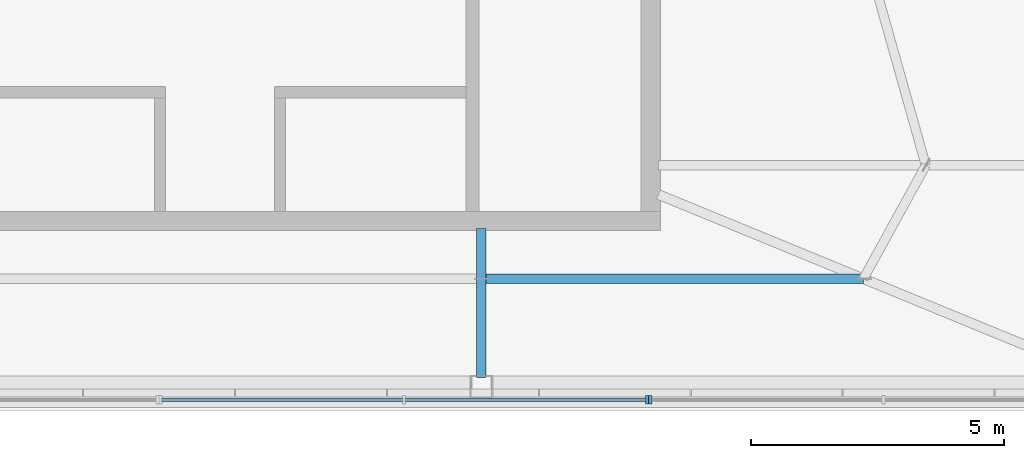
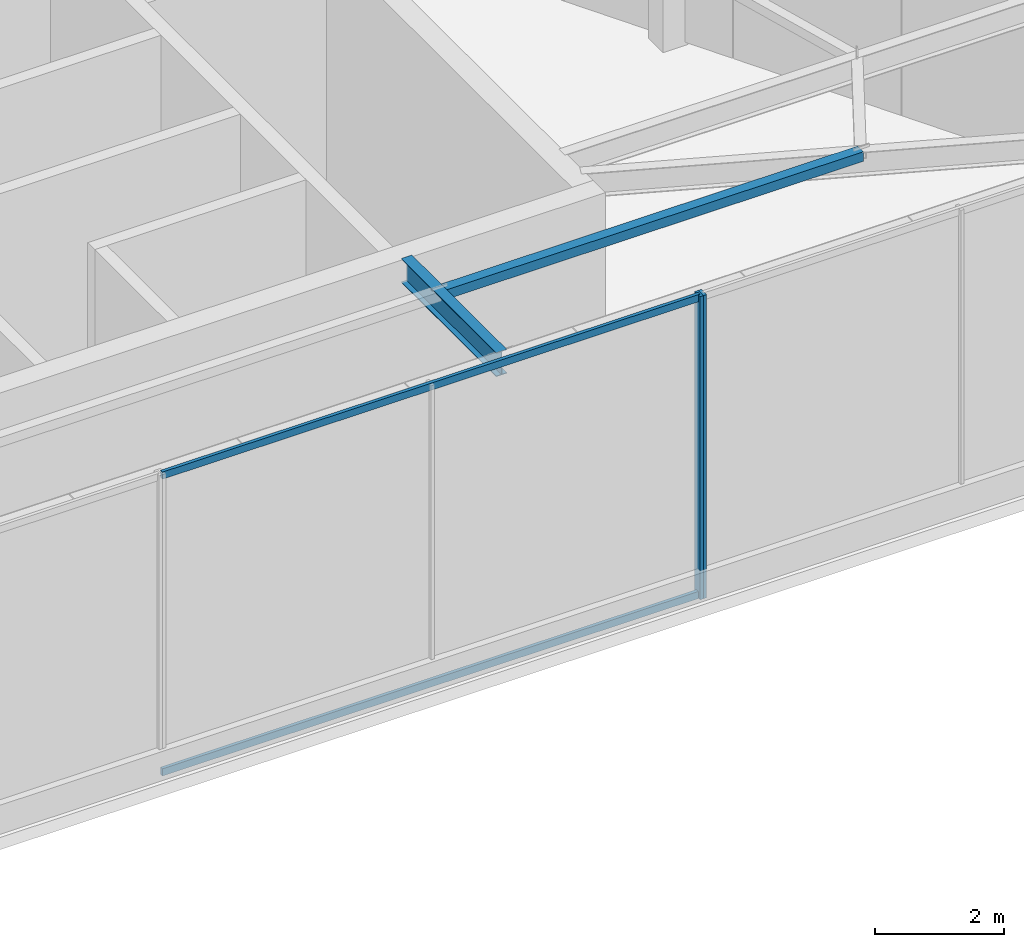
# One storey, part 3 of 12: 5 members, 1 beam, 2 elements without a shape of their own.
"""IFC4 building model written with IfcOpenShell, lengths in metres."""

from ifc_helpers import new_model, si_unit, direction, frame, origin, origin_2d, place, context, subcontext, project, spatial, rectangle, hollow_rectangle, i_section, extrude, material, layer, layer_set, material_profile, profile_set, type_object, element, aggregate, save


model = new_model("IFC4")

# Units and contexts
model_context = context("Model", 3, precision=1e-05, world=origin(), true_north=direction((0.0, 1.0)))
body_context = subcontext(model_context, "Body", "Model", "MODEL_VIEW")
ifc_project = project(units=[si_unit("LENGTHUNIT", "METRE"), si_unit("AREAUNIT", "SQUARE_METRE"), si_unit("VOLUMEUNIT", "CUBIC_METRE"), si_unit("PLANEANGLEUNIT", "RADIAN"), si_unit("MASSUNIT", "GRAM", prefix="KILO")], contexts=[model_context])

# Site, building, storey
site_placement = place(None, origin())
site = spatial("IfcSite", under=ifc_project, at=site_placement, CompositionType="ELEMENT")
building_placement = place(site_placement, origin())
building = spatial("IfcBuilding", under=site, at=building_placement, Name="Kavelnor Concourse Tower", CompositionType="ELEMENT")
storey_placement = place(building_placement, frame((0.0, 0.0, 315.699951171875)))
storey = spatial("IfcBuildingStorey", under=building, at=storey_placement, Name="L79", CompositionType="ELEMENT", Elevation=315.699951171875)

# Beam
ifc_material_1 = material(Name="Steel Grade 350", Category="steel")
ifc_material_profile_1 = material_profile(ifc_material_1, i_section(OverallWidth=0.18994140625, OverallDepth=0.4541015625, WebThickness=0.008544921875, FlangeThickness=0.0126953125, at=origin_2d()), Name="460UB67")
ifc_profile_set_1 = profile_set([ifc_material_profile_1], Name="Steel Grade 350")
beam_type = type_object("IfcBeamType", Name="BM-PRIMARY-460", PredefinedType="BEAM", material=ifc_profile_set_1)
beam_placement = place(storey_placement, frame((44.366455078125, 9.260009765625, 5.29296875), z_axis=(0.0, -1.0, 0.0), x_axis=(1.0, 0.0, 0.0)))
element("IfcBeam", 1, at=beam_placement, inside=storey, type_object=beam_type, Name="L79 Crown Frame Radial Girder F1B4", PredefinedType="BEAM", context=body_context, shape_type="SweptSolid", body=[
    extrude(i_section(OverallWidth=0.18994140625, OverallDepth=0.4541015625, WebThickness=0.008544921875, FlangeThickness=0.0126953125, at=origin_2d()), origin(), (0.0, 0.0, 1.0), 2.93994140625),
])

# Curtain wall, member
ifc_material_2 = material(Name="Anodised aluminium 6063-T6", Category="aluminium")
ifc_layer = layer(ifc_material_2, 0.1650390625, Name="Anodised aluminium 6063-T6")
ifc_layer_set = layer_set([ifc_layer], Name="Anodised aluminium 6063-T6")
curtain_wall_type = type_object("IfcCurtainWallType", Name="CW-CROWN-SCREEN", PredefinedType="NOTDEFINED", material=ifc_layer_set)
curtain_wall_1_placement = place(storey_placement, origin())
curtain_wall_1 = element("IfcCurtainWall", 2, at=curtain_wall_1_placement, inside=storey, type_object=curtain_wall_type, Name="L79 Crown Fritted Screen Curtain Wall E3-S3", PredefinedType="NOTDEFINED")
ifc_material_profile_2 = material_profile(ifc_material_2, rectangle(XDim=0.06005859375, YDim=0.1650390625, at=origin_2d()), Name="AL-MULL 60x165")
ifc_profile_set_2 = profile_set([ifc_material_profile_2], Name="Anodised aluminium 6063-T6")
member_type_1 = type_object("IfcMemberType", Name="CW-CROWN-SCREEN-MULL", PredefinedType="MULLION", material=ifc_profile_set_2)
member_1_placement = place(storey_placement, frame((47.64013671875, 5.875, 0.0), z_axis=(0.0, 0.0, 1.0), x_axis=(1.0, 0.0, 0.0)))
member_1 = element("IfcMember", 3, at=member_1_placement, type_object=member_type_1, Name="L79 Crown Fritted Screen Curtain Wall E3-S3 Mullion 2", PredefinedType="MULLION", context=body_context, shape_type="SweptSolid", body=[
    extrude(rectangle(XDim=0.06005859375, YDim=0.1650390625, at=origin_2d()), origin(), (0.0, 0.0, 1.0), 5.72998046875),
])

curtain_wall_2_placement = place(storey_placement, origin())
curtain_wall_2 = element("IfcCurtainWall", 4, at=curtain_wall_2_placement, inside=storey, type_object=curtain_wall_type, Name="L79 Crown Fritted Screen Curtain Wall E3-S4", PredefinedType="NOTDEFINED")
member_2_placement = place(storey_placement, frame((47.7001953125, 5.875, 0.0), z_axis=(0.0, 0.0, 1.0), x_axis=(1.0, 0.0, 0.0)))
member_2 = element("IfcMember", 5, at=member_2_placement, type_object=member_type_1, Name="L79 Crown Fritted Screen Curtain Wall E3-S4 Mullion 0", PredefinedType="MULLION", context=body_context, shape_type="SweptSolid", body=[
    extrude(rectangle(XDim=0.06005859375, YDim=0.1650390625, at=origin_2d()), origin(), (0.0, 0.0, 1.0), 5.72998046875),
])
aggregate(curtain_wall_2, [member_2])

# Member
ifc_material_profile_3 = material_profile(ifc_material_2, rectangle(XDim=0.06005859375, YDim=0.135009765625, at=origin_2d()), Name="AL-TRAN 60x135")
ifc_profile_set_3 = profile_set([ifc_material_profile_3], Name="Anodised aluminium 6063-T6")
member_type_2 = type_object("IfcMemberType", Name="CW-CROWN-SCREEN-TRAN", PredefinedType="USERDEFINED", material=ifc_profile_set_3)
member_3_placement = place(storey_placement, frame((38.030029296875, 5.875, 0.06005859375), z_axis=(1.0, 0.0, 0.0), x_axis=(0.0, 1.0, 0.0)))
member_3 = element("IfcMember", 6, at=member_3_placement, type_object=member_type_2, Name="L79 Crown Fritted Screen Curtain Wall E3-S3 Transom 0-BOT", ObjectType="TRANSOM", PredefinedType="USERDEFINED", context=body_context, shape_type="SweptSolid", body=[
    extrude(rectangle(XDim=0.06005859375, YDim=0.135009765625, at=origin_2d()), origin(), (0.0, 0.0, 1.0), 9.610107421875),
])

member_4_placement = place(storey_placement, frame((38.030029296875, 5.875, 5.670166015625), z_axis=(1.0, 0.0, 0.0), x_axis=(0.0, 1.0, 0.0)))
member_4 = element("IfcMember", 7, at=member_4_placement, type_object=member_type_2, Name="L79 Crown Fritted Screen Curtain Wall E3-S3 Transom 0-TOP", ObjectType="TRANSOM", PredefinedType="USERDEFINED", context=body_context, shape_type="SweptSolid", body=[
    extrude(rectangle(XDim=0.06005859375, YDim=0.135009765625, at=origin_2d()), origin(), (0.0, 0.0, 1.0), 9.610107421875),
])

aggregate(curtain_wall_1, [member_1, member_3, member_4])

ifc_material_profile_4 = material_profile(ifc_material_1, hollow_rectangle(XDim=0.179931640625, YDim=0.179931640625, WallThickness=0.010009765625, at=origin_2d()), Name="SHS 180x180x10")
ifc_profile_set_4 = profile_set([ifc_material_profile_4], Name="Steel Grade 350")
member_type_3 = type_object("IfcMemberType", Name="MBR-ROOF-PURLIN-180", PredefinedType="PURLIN", material=ifc_profile_set_4)
member_5_placement = place(storey_placement, frame((44.366455078125, 8.267578125, 5.429931640625), z_axis=(1.0, 0.0, 0.0), x_axis=(0.0, 1.0, 0.0)))
element("IfcMember", 8, at=member_5_placement, inside=storey, type_object=member_type_3, Name="L79 Crown Roof Purlin 07", PredefinedType="PURLIN", context=body_context, shape_type="SweptSolid", body=[
    extrude(hollow_rectangle(XDim=0.179931640625, YDim=0.179931640625, WallThickness=0.010009765625, at=origin_2d()), origin(), (0.0, 0.0, 1.0), 7.54345703125),
])

save(model, "model.ifc")
